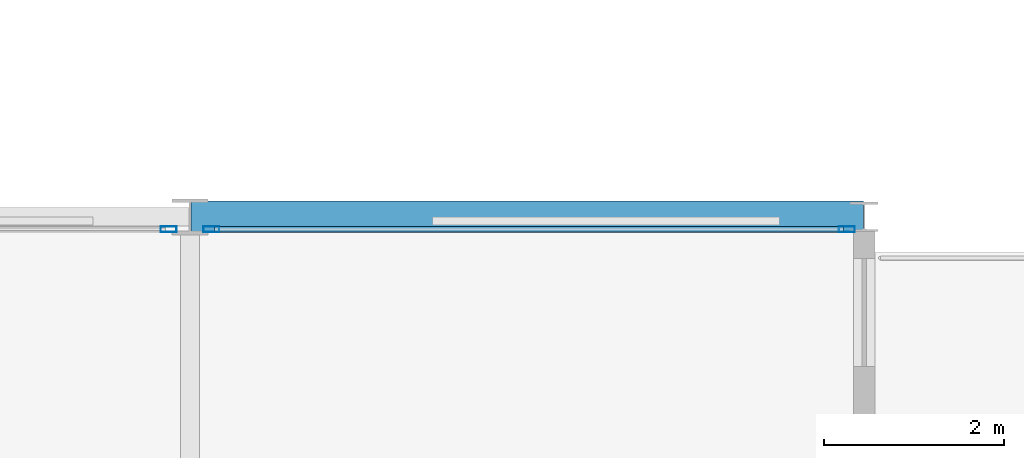
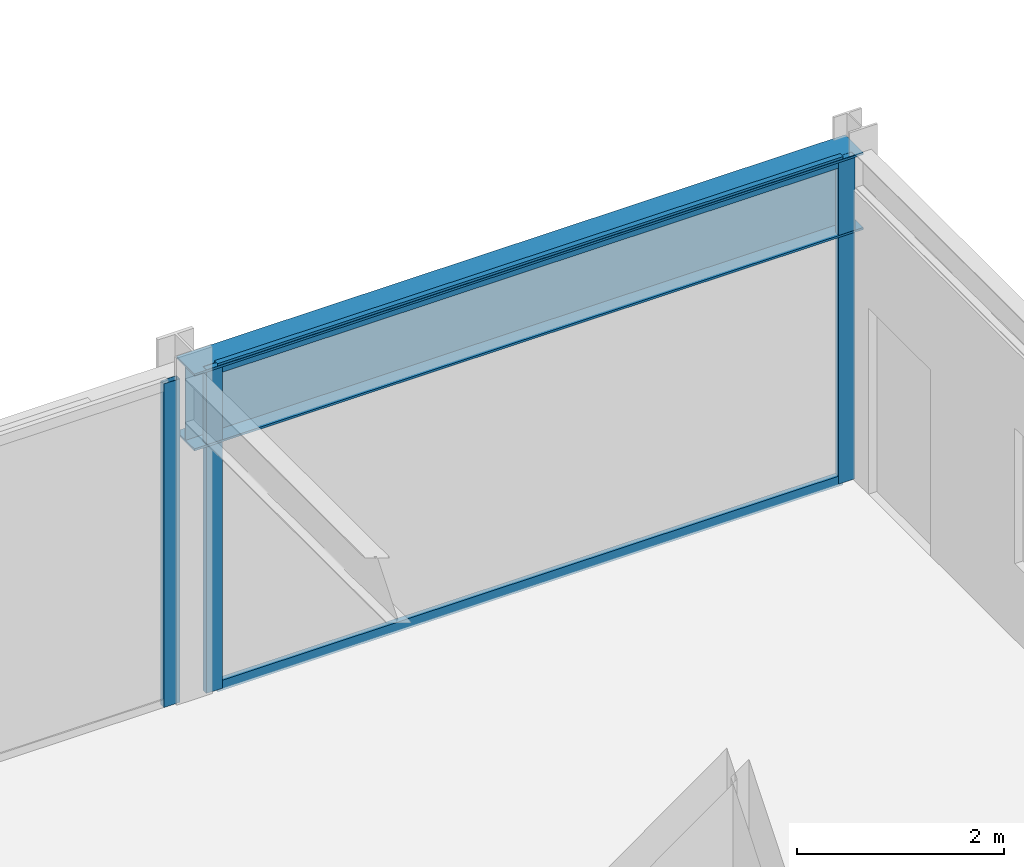
# One storey, part 22 of 38: 5 members, 1 beam, 2 elements without a shape of their own.
"""IFC4 building model written with IfcOpenShell, lengths in metres."""

from ifc_helpers import new_model, si_unit, direction, frame, origin, origin_2d, place, context, subcontext, project, spatial, hollow_rectangle, i_section, extrude, material, layer, layer_set, material_profile, profile_set, type_object, element, aggregate, save


model = new_model("IFC4")

# Units and contexts
model_context = context("Model", 3, precision=1e-05, world=origin(), true_north=direction((0.0, 1.0)))
body_context = subcontext(model_context, "Body", "Model", "MODEL_VIEW")
ifc_project = project(units=[si_unit("LENGTHUNIT", "METRE"), si_unit("AREAUNIT", "SQUARE_METRE"), si_unit("VOLUMEUNIT", "CUBIC_METRE"), si_unit("PLANEANGLEUNIT", "RADIAN"), si_unit("MASSUNIT", "GRAM", prefix="KILO")], contexts=[model_context])

# Site, building, storey
site_placement = place(None, origin())
site = spatial("IfcSite", under=ifc_project, at=site_placement, CompositionType="ELEMENT")
building_placement = place(site_placement, origin())
building = spatial("IfcBuilding", under=site, at=building_placement, Name="Nerrivon Quay Data Exchange", CompositionType="ELEMENT")
storey_placement = place(building_placement, frame((0.0, 0.0, 100.800048828125)))
storey = spatial("IfcBuildingStorey", under=building, at=storey_placement, Name="L23", CompositionType="ELEMENT", Elevation=100.800048828125)

# Beam
ifc_material_1 = material(Name="Steel Grade 350", Category="steel")
ifc_material_profile_1 = material_profile(ifc_material_1, i_section(OverallWidth=0.35009765625, OverallDepth=0.909912109375, WebThickness=0.011962890625, FlangeThickness=0.02490234375, at=origin_2d()), Name="900WB218")
ifc_profile_set_1 = profile_set([ifc_material_profile_1], Name="Steel Grade 350")
beam_type = type_object("IfcBeamType", Name="BM-CANT-900WB", PredefinedType="USERDEFINED", material=ifc_profile_set_1)
beam_placement = place(storey_placement, frame((50.41259765625, 25.199951171875, 3.369873046875), z_axis=(1.0, 0.0, 0.0), x_axis=(0.0, 1.0, 0.0)))
element("IfcBeam", 1, at=beam_placement, inside=storey, type_object=beam_type, Name="L23 East Hooked Cantilever Girder Y=25.2", ObjectType="TRANSFER", PredefinedType="USERDEFINED", context=body_context, shape_type="SweptSolid", body=[
    extrude(i_section(OverallWidth=0.35009765625, OverallDepth=0.909912109375, WebThickness=0.011962890625, FlangeThickness=0.02490234375, at=origin_2d()), origin(), (0.0, 0.0, 1.0), 7.4794921875),
])

# Curtain wall, member
ifc_material_2 = material(Name="Anodised aluminium 6063-T6", Category="aluminium")
ifc_layer_1 = layer(ifc_material_2, 0.2099609375)
ifc_layer_set_1 = layer_set([ifc_layer_1], Name="Anodised aluminium 6063-T6")
curtain_wall_type_1 = type_object("IfcCurtainWallType", Name="CW-SYS-02", PredefinedType="NOTDEFINED", material=ifc_layer_set_1)
curtain_wall_1_placement = place(storey_placement, origin())
curtain_wall_1 = element("IfcCurtainWall", 2, at=curtain_wall_1_placement, inside=storey, type_object=curtain_wall_type_1, Name="L23 Unitised Curtain Wall 34", PredefinedType="NOTDEFINED")
ifc_material_profile_2 = material_profile(ifc_material_2, hollow_rectangle(XDim=0.06494140625, YDim=0.179931640625, WallThickness=0.00341796875, at=origin_2d()), Name="ALU-MULL-180x65")
ifc_profile_set_2 = profile_set([ifc_material_profile_2], Name="Anodised aluminium 6063-T6")
member_type_1 = type_object("IfcMemberType", Name="CWM-180x65", PredefinedType="MULLION", material=ifc_profile_set_2)
member_1_placement = place(storey_placement, frame((50.16259765625, 25.06005859375, 0.0), z_axis=(0.0, 0.0, 1.0), x_axis=(0.0, 1.0, 0.0)))
member_1 = element("IfcMember", 3, at=member_1_placement, type_object=member_type_1, Name="CW02 mullion 2", PredefinedType="MULLION", context=body_context, shape_type="SweptSolid", body=[
    extrude(hollow_rectangle(XDim=0.06494140625, YDim=0.179931640625, WallThickness=0.00341796875, at=origin_2d()), origin(), (0.0, 0.0, 1.0), 3.824951171875),
])
aggregate(curtain_wall_1, [member_1])

# Curtain wall, members
ifc_layer_2 = layer(ifc_material_2, 0.199951171875)
ifc_layer_set_2 = layer_set([ifc_layer_2], Name="Anodised aluminium 6063-T6")
curtain_wall_type_2 = type_object("IfcCurtainWallType", Name="CW-SYS-04", PredefinedType="NOTDEFINED", material=ifc_layer_set_2)
curtain_wall_2_placement = place(storey_placement, origin())
curtain_wall_2 = element("IfcCurtainWall", 4, at=curtain_wall_2_placement, inside=storey, type_object=curtain_wall_type_2, Name="L23 Unitised Curtain Wall 35", PredefinedType="NOTDEFINED")
member_2_placement = place(storey_placement, frame((50.637451171875, 25.06005859375, 0.0), z_axis=(0.0, 0.0, 1.0), x_axis=(0.0, 1.0, 0.0)))
member_2 = element("IfcMember", 5, at=member_2_placement, type_object=member_type_1, Name="CW04 mullion 1", PredefinedType="MULLION", context=body_context, shape_type="SweptSolid", body=[
    extrude(hollow_rectangle(XDim=0.06494140625, YDim=0.179931640625, WallThickness=0.00341796875, at=origin_2d()), origin(), (0.0, 0.0, 1.0), 3.824951171875),
])
member_3_placement = place(storey_placement, frame((57.70703125, 25.06005859375, 0.0), z_axis=(0.0, 0.0, 1.0), x_axis=(0.0, 1.0, 0.0)))
member_3 = element("IfcMember", 6, at=member_3_placement, type_object=member_type_1, Name="CW04 mullion 2", PredefinedType="MULLION", context=body_context, shape_type="SweptSolid", body=[
    extrude(hollow_rectangle(XDim=0.06494140625, YDim=0.179931640625, WallThickness=0.00341796875, at=origin_2d()), origin(), (0.0, 0.0, 1.0), 3.824951171875),
])
ifc_material_profile_3 = material_profile(ifc_material_2, hollow_rectangle(XDim=0.06005859375, YDim=0.1201171875, WallThickness=0.003173828125, at=origin_2d()), Name="ALU-TRAN-120x60")
ifc_profile_set_3 = profile_set([ifc_material_profile_3], Name="Anodised aluminium 6063-T6")
member_type_2 = type_object("IfcMemberType", Name="CWT-120x60", PredefinedType="USERDEFINED", material=ifc_profile_set_3)
member_4_placement = place(storey_placement, frame((50.675048828125, 25.06005859375, 0.032470703125), z_axis=(1.0, 0.0, 0.0), x_axis=(0.0, 1.0, 0.0)))
member_4 = element("IfcMember", 7, at=member_4_placement, type_object=member_type_2, Name="CW04 transom 1.1", ObjectType="TRANSOM", PredefinedType="USERDEFINED", context=body_context, shape_type="SweptSolid", body=[
    extrude(hollow_rectangle(XDim=0.06005859375, YDim=0.1201171875, WallThickness=0.003173828125, at=origin_2d()), origin(), (0.0, 0.0, 1.0), 6.994384765625),
])
member_5_placement = place(storey_placement, frame((50.675048828125, 25.06005859375, 3.79248046875), z_axis=(1.0, 0.0, 0.0), x_axis=(0.0, 1.0, 0.0)))
member_5 = element("IfcMember", 8, at=member_5_placement, type_object=member_type_2, Name="CW04 transom 1.2", ObjectType="TRANSOM", PredefinedType="USERDEFINED", context=body_context, shape_type="SweptSolid", body=[
    extrude(hollow_rectangle(XDim=0.06005859375, YDim=0.1201171875, WallThickness=0.003173828125, at=origin_2d()), origin(), (0.0, 0.0, 1.0), 6.994384765625),
])
aggregate(curtain_wall_2, [member_2, member_3, member_4, member_5])

save(model, "model.ifc")
